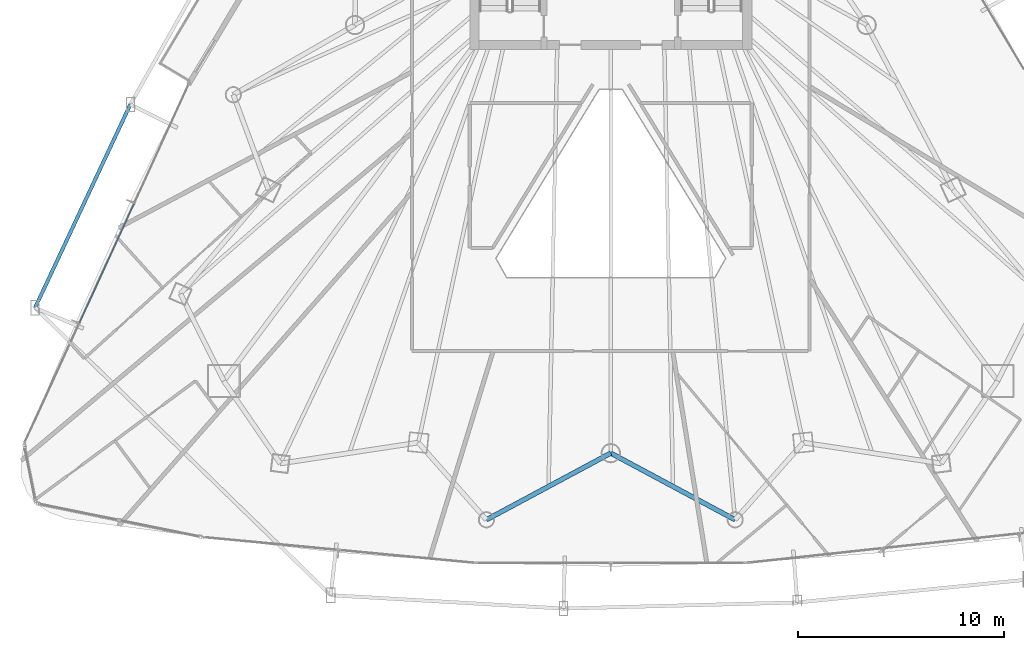
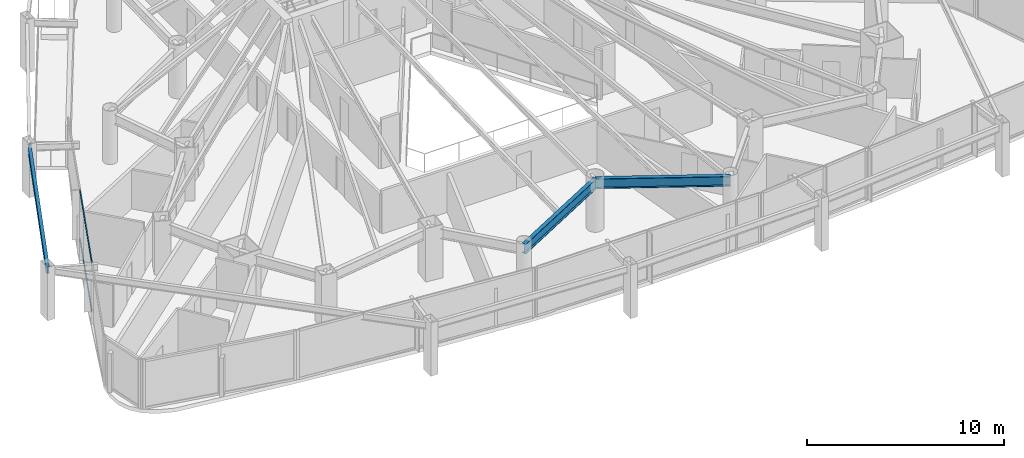
# One storey, part 8 of 38: 3 beams, 2 members, 1 element without a shape of its own.
"""IFC4 building model written with IfcOpenShell, lengths in metres."""

from ifc_helpers import new_model, si_unit, direction, frame, origin, origin_2d, place, context, subcontext, project, spatial, hollow_rectangle, i_section, extrude, material, layer, layer_set, material_profile, profile_set, type_object, element, aggregate, save


model = new_model("IFC4")

# Units and contexts
model_context = context("Model", 3, precision=1e-05, world=origin(), true_north=direction((0.0, 1.0)))
body_context = subcontext(model_context, "Body", "Model", "MODEL_VIEW")
ifc_project = project(units=[si_unit("LENGTHUNIT", "METRE"), si_unit("AREAUNIT", "SQUARE_METRE"), si_unit("VOLUMEUNIT", "CUBIC_METRE"), si_unit("PLANEANGLEUNIT", "RADIAN"), si_unit("MASSUNIT", "GRAM", prefix="KILO")], contexts=[model_context])

# Site, building, storey
site_placement = place(None, origin())
site = spatial("IfcSite", under=ifc_project, at=site_placement, CompositionType="ELEMENT")
building_placement = place(site_placement, origin())
building = spatial("IfcBuilding", under=site, at=building_placement, Name="Orvanel Arch Residences", CompositionType="ELEMENT")
storey_placement = place(building_placement, frame((0.0, 0.0, 46.699951171875)))
storey = spatial("IfcBuildingStorey", under=building, at=storey_placement, Name="L12", CompositionType="ELEMENT", Elevation=46.699951171875)

# Beams
ifc_material_1 = material(Name="Structural steel AS/NZS 3679.1 Grade 300 (300 MPa)", Category="steel")
ifc_material_profile_1 = material_profile(ifc_material_1, i_section(OverallWidth=0.177978515625, OverallDepth=0.406005859375, WebThickness=0.0078125, FlangeThickness=0.0126953125, at=origin_2d()), Name="410UB59.7")
ifc_profile_set_1 = profile_set([ifc_material_profile_1], Name="Structural steel AS/NZS 3679.1 Grade 300 (300 MPa)")
beam_type_1 = type_object("IfcBeamType", Name="OB-410UB-EXT", PredefinedType="SPANDREL", material=ifc_profile_set_1)
beam_placement = place(storey_placement, frame((9.658935546875, 23.784912109375, 2.85693359375), z_axis=(-0.424189154499, -0.905573608938, 0.0), x_axis=(0.905573608938, -0.424189154499, 0.0)))
element("IfcBeam", 1, at=beam_placement, inside=storey, type_object=beam_type_1, Name="L12 Outer Perimeter Floor Ring Beam 03", PredefinedType="SPANDREL", context=body_context, shape_type="SweptSolid", body=[
    extrude(i_section(OverallWidth=0.177978515625, OverallDepth=0.406005859375, WebThickness=0.0078125, FlangeThickness=0.0126953125, at=origin_2d()), origin(), (0.0, 0.0, 1.0), 10.91455078125),
])
ifc_material_profile_2 = material_profile(ifc_material_1, i_section(OverallWidth=0.22900390625, OverallDepth=0.612060546875, WebThickness=0.011962890625, FlangeThickness=0.01953125, at=origin_2d()), Name="610UB125")
ifc_profile_set_2 = profile_set([ifc_material_profile_2], Name="Structural steel AS/NZS 3679.1 Grade 300 (300 MPa)")
beam_type_2 = type_object("IfcBeamType", Name="SP-610UB", PredefinedType="SPANDREL", material=ifc_profile_set_2)
for number, where, z_axis, x_axis, name in (
    (2, (26.9580078125, 3.60498046875, 2.754150390625), (0.881344400551, 0.472474388319, 0.0), (-0.472474388319, 0.881344400551, 0.0), "L12 Perimeter Spandrel Beam 06"),
    (3, (33.0, 6.843994140625, 2.754150390625), (0.881344400551, -0.472474388319, 0.0), (0.472474388319, 0.881344400551, 0.0), "L12 Perimeter Spandrel Beam 07"),
):
    element("IfcBeam", number, at=place(storey_placement, frame(where, z_axis=z_axis, x_axis=x_axis)), inside=storey, type_object=beam_type_2, Name=name, PredefinedType="SPANDREL", context=body_context, shape_type="SweptSolid", body=[
        extrude(i_section(OverallWidth=0.22900390625, OverallDepth=0.612060546875, WebThickness=0.011962890625, FlangeThickness=0.01953125, at=origin_2d()), origin(), (0.0, 0.0, 1.0), 6.85546875),
    ])

# Curtain wall, members
ifc_material_2 = material(Name="Bronze-anodised aluminium AA6063-T6", Category="aluminium")
ifc_layer = layer(ifc_material_2, 0.179931640625)
ifc_layer_set = layer_set([ifc_layer], Name="Bronze-anodised aluminium AA6063-T6")
curtain_wall_type = type_object("IfcCurtainWallType", Name="CW2-LOW-SYS", PredefinedType="NOTDEFINED", material=ifc_layer_set)
curtain_wall_placement = place(storey_placement, origin())
curtain_wall = element("IfcCurtainWall", 4, at=curtain_wall_placement, inside=storey, type_object=curtain_wall_type, Name="L12 CW2-LOW-SYS Unitised Curtain Wall", PredefinedType="NOTDEFINED")
ifc_material_profile_3 = material_profile(ifc_material_2, hollow_rectangle(XDim=0.06005859375, YDim=0.135009765625, WallThickness=0.00390625, at=origin_2d()), Name="ALU135x60x4")
ifc_profile_set_3 = profile_set([ifc_material_profile_3], Name="Bronze-anodised aluminium AA6063-T6")
member_type = type_object("IfcMemberType", Name="TRN-135x60", PredefinedType="USERDEFINED", material=ifc_profile_set_3)
member_1_placement = place(storey_placement, frame((9.835205078125, 18.951416015625, 0.030029296875), z_axis=(-0.416392683211, -0.909184873042, 0.0), x_axis=(0.909184873042, -0.416392683211, 0.0)))
member_1 = element("IfcMember", 5, at=member_1_placement, type_object=member_type, Name="CW-S2 transom 2.1", ObjectType="TRANSOM", PredefinedType="USERDEFINED", context=body_context, shape_type="SweptSolid", body=[
    extrude(hollow_rectangle(XDim=0.06005859375, YDim=0.135009765625, WallThickness=0.00390625, at=origin_2d()), origin(), (0.0, 0.0, 1.0), 6.352783203125),
])
member_2_placement = place(storey_placement, frame((9.835205078125, 18.951416015625, 3.030029296875), z_axis=(-0.416392683211, -0.909184873042, 0.0), x_axis=(0.909184873042, -0.416392683211, 0.0)))
member_2 = element("IfcMember", 6, at=member_2_placement, type_object=member_type, Name="CW-S2 transom 2.2", ObjectType="TRANSOM", PredefinedType="USERDEFINED", context=body_context, shape_type="SweptSolid", body=[
    extrude(hollow_rectangle(XDim=0.06005859375, YDim=0.135009765625, WallThickness=0.00390625, at=origin_2d()), origin(), (0.0, 0.0, 1.0), 6.352783203125),
])
aggregate(curtain_wall, [member_1, member_2])

save(model, "model.ifc")
